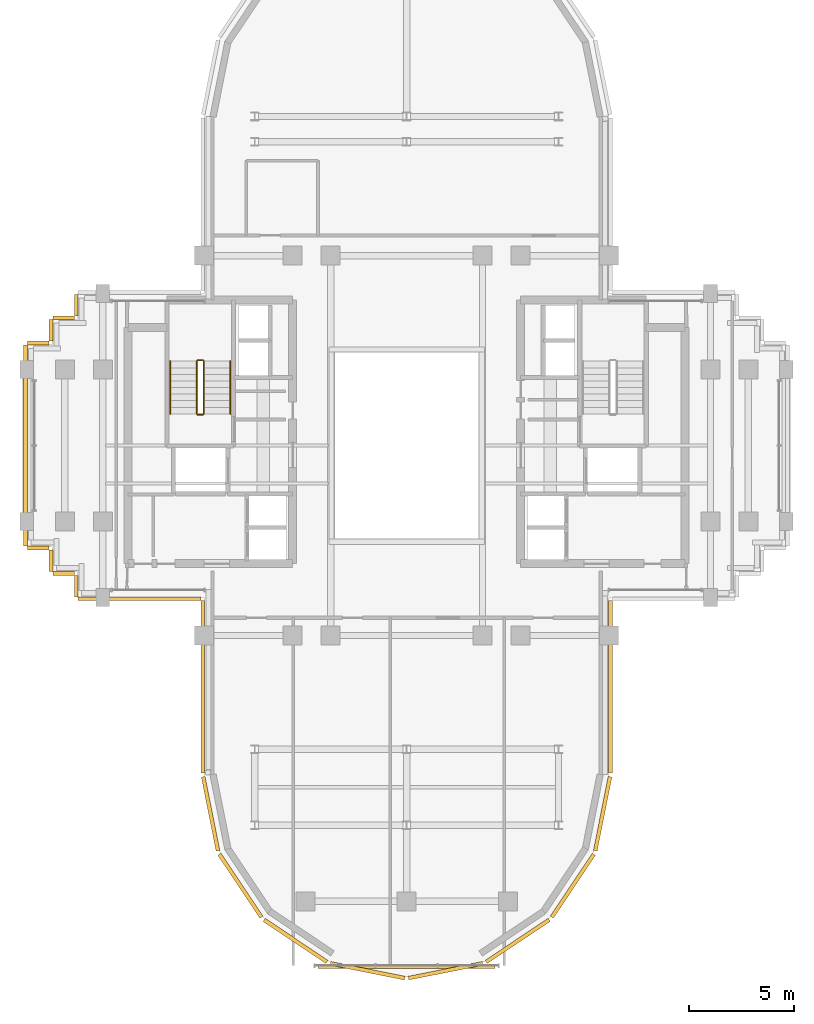
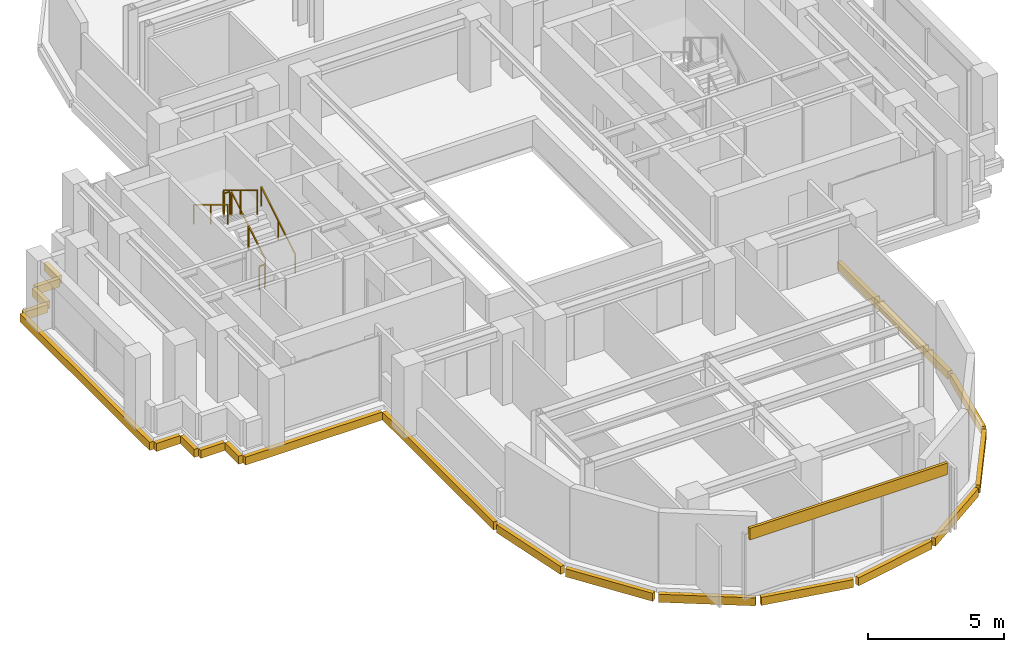
# One storey, part 9 of 11: 21 coverings, 6 railings.
"""IFC4 building model written with IfcOpenShell, lengths in metres."""

from ifc_helpers import new_model, si_unit, direction, frame, origin, origin_2d, place, context, subcontext, project, spatial, rectangle, extrude, source, transform, mapped, material, layer, layer_set, type_object, element, save


model = new_model("IFC4")

# Units and contexts
model_context = context("Model", 3, precision=1e-05, world=origin(), true_north=direction((0.0, 1.0)))
body_context = subcontext(model_context, "Body", "Model", "MODEL_VIEW")
ifc_project = project(units=[si_unit("LENGTHUNIT", "METRE"), si_unit("AREAUNIT", "SQUARE_METRE"), si_unit("VOLUMEUNIT", "CUBIC_METRE"), si_unit("PLANEANGLEUNIT", "RADIAN"), si_unit("MASSUNIT", "GRAM", prefix="KILO")], contexts=[model_context])

# Site, building, storey
site_placement = place(None, origin())
site = spatial("IfcSite", under=ifc_project, at=site_placement, CompositionType="ELEMENT")
building_placement = place(site_placement, origin())
building = spatial("IfcBuilding", under=site, at=building_placement, Name="Keilestroom Media Tower", CompositionType="ELEMENT")
storey_placement = place(building_placement, frame((0.0, 0.0, 167.199951171875)))
storey = spatial("IfcBuildingStorey", under=building, at=storey_placement, Name="L45", CompositionType="ELEMENT", Elevation=167.199951171875)

# Railings
ifc_material_1 = material(Name="Brushed Stainless Steel 1.4301", Category="steel")
railing_type_1 = type_object("IfcRailingType", Name="Stair-Pitch-Handrail-920", PredefinedType="HANDRAIL", material=ifc_material_1)
railing_1_placement = place(storey_placement, frame((-8.35009765625, 1.5, 0.18896484375)))
element("IfcRailing", 1, at=railing_1_placement, inside=storey, type_object=railing_type_1, Name="L45 ST-1 stair handrail 1", PredefinedType="HANDRAIL", context=body_context, shape_type="SweptSolid", body=[
    extrude(rectangle(XDim=0.048095703125, YDim=0.048095703125, at=origin_2d()), frame((0.0, 0.0, 0.8759765625), z_axis=(0.0, 0.855470815493, 0.517851024754), x_axis=(-1.0, 0.0, 0.0)), (0.0, 0.0, 1.0), 2.917724609375),
    extrude(rectangle(XDim=0.0419921875, YDim=0.0419921875, at=origin_2d()), origin(), (0.0, 0.0, 1.0), 0.84375),
    extrude(rectangle(XDim=0.0419921875, YDim=0.0419921875, at=origin_2d()), frame((0.0, 1.248046875, 0.75537109375)), (0.0, 0.0, 1.0), 0.84375),
    extrude(rectangle(XDim=0.0419921875, YDim=0.0419921875, at=origin_2d()), frame((0.0, 2.49609375, 1.510986328125)), (0.0, 0.0, 1.0), 0.84375),
])
railing_2_placement = place(storey_placement, frame((-11.2099609375, 3.99609375, 1.888916015625)))
element("IfcRailing", 2, at=railing_2_placement, inside=storey, type_object=railing_type_1, Name="L45 ST-1 stair handrail 2", PredefinedType="HANDRAIL", context=body_context, shape_type="SweptSolid", body=[
    extrude(rectangle(XDim=0.048095703125, YDim=0.048095703125, at=origin_2d()), frame((0.0, 0.0, 0.8759765625), z_axis=(0.0, -0.855433747314, 0.517912255074), x_axis=(1.0, 0.0, 0.0)), (0.0, 0.0, 1.0), 2.91796875),
    extrude(rectangle(XDim=0.0419921875, YDim=0.0419921875, at=origin_2d()), origin(), (0.0, 0.0, 1.0), 0.84375),
    extrude(rectangle(XDim=0.0419921875, YDim=0.0419921875, at=origin_2d()), frame((0.0, -1.248046875, 0.755615234375)), (0.0, 0.0, 1.0), 0.84375),
    extrude(rectangle(XDim=0.0419921875, YDim=0.0419921875, at=origin_2d()), frame((0.0, -2.49609375, 1.51123046875)), (0.0, 0.0, 1.0), 0.84375),
])
ifc_material_2 = material(Name="Painted Steel Balustrade", Category="steel")
railing_type_2 = type_object("IfcRailingType", Name="Stair-Well-And-Landing-Guard-1100", PredefinedType="GUARDRAIL", material=ifc_material_2)
railing_3_placement = place(storey_placement, frame((-9.610107421875, 1.5, 0.18896484375)))
element("IfcRailing", 3, at=railing_3_placement, inside=storey, type_object=railing_type_2, Name="L45 ST-1 stair guard 1", PredefinedType="GUARDRAIL", context=body_context, shape_type="SweptSolid", body=[
    extrude(rectangle(XDim=0.048095703125, YDim=0.048095703125, at=origin_2d()), frame((0.0, 0.0, 1.076171875), z_axis=(0.0, 0.855470815493, 0.517851024754), x_axis=(-1.0, 0.0, 0.0)), (0.0, 0.0, 1.0), 2.917724609375),
    extrude(rectangle(XDim=0.0419921875, YDim=0.0419921875, at=origin_2d()), origin(), (0.0, 0.0, 1.0), 1.0439453125),
    extrude(rectangle(XDim=0.0419921875, YDim=0.0419921875, at=origin_2d()), frame((0.0, 1.248046875, 0.75537109375)), (0.0, 0.0, 1.0), 1.0439453125),
    extrude(rectangle(XDim=0.0419921875, YDim=0.0419921875, at=origin_2d()), frame((0.0, 2.49609375, 1.510986328125)), (0.0, 0.0, 1.0), 1.0439453125),
])
railing_4_placement = place(storey_placement, frame((-9.659912109375, 4.0458984375, 1.699951171875)))
element("IfcRailing", 4, at=railing_4_placement, inside=storey, type_object=railing_type_2, Name="L45 ST-1 stair guard 2", PredefinedType="GUARDRAIL", context=body_context, shape_type="SweptSolid", body=[
    extrude(rectangle(XDim=0.048095703125, YDim=0.048095703125, at=origin_2d()), frame((0.0, 0.0, 1.076171875), z_axis=(-1.0, 0.0, 0.0), x_axis=(0.0, -1.0, 0.0)), (0.0, 0.0, 1.0), 0.239990234375),
    extrude(rectangle(XDim=0.0419921875, YDim=0.0419921875, at=origin_2d()), origin(), (0.0, 0.0, 1.0), 1.0439453125),
    extrude(rectangle(XDim=0.0419921875, YDim=0.0419921875, at=origin_2d()), frame((-0.239990234375, 0.0, 0.0)), (0.0, 0.0, 1.0), 1.0439453125),
])
railing_5_placement = place(storey_placement, frame((-9.949951171875, 3.99609375, 1.888916015625)))
element("IfcRailing", 5, at=railing_5_placement, inside=storey, type_object=railing_type_2, Name="L45 ST-1 stair guard 3", PredefinedType="GUARDRAIL", context=body_context, shape_type="SweptSolid", body=[
    extrude(rectangle(XDim=0.048095703125, YDim=0.048095703125, at=origin_2d()), frame((0.0, 0.0, 1.076171875), z_axis=(0.0, -0.855433747314, 0.517912255074), x_axis=(1.0, 0.0, 0.0)), (0.0, 0.0, 1.0), 2.91796875),
    extrude(rectangle(XDim=0.0419921875, YDim=0.0419921875, at=origin_2d()), origin(), (0.0, 0.0, 1.0), 1.0439453125),
    extrude(rectangle(XDim=0.0419921875, YDim=0.0419921875, at=origin_2d()), frame((0.0, -1.248046875, 0.755615234375)), (0.0, 0.0, 1.0), 1.0439453125),
    extrude(rectangle(XDim=0.0419921875, YDim=0.0419921875, at=origin_2d()), frame((0.0, -2.49609375, 1.51123046875)), (0.0, 0.0, 1.0), 1.0439453125),
])
railing_6_placement = place(storey_placement, frame((-9.659912109375, 1.449951171875, 0.0)))
element("IfcRailing", 6, at=railing_6_placement, inside=storey, type_object=railing_type_2, Name="L45 ST-1 stair guard 4", PredefinedType="GUARDRAIL", context=body_context, shape_type="SweptSolid", body=[
    extrude(rectangle(XDim=0.048095703125, YDim=0.048095703125, at=origin_2d()), frame((0.0, 0.0, 1.076171875), z_axis=(-1.0, 0.0, 0.0), x_axis=(0.0, -1.0, 0.0)), (0.0, 0.0, 1.0), 0.239990234375),
    extrude(rectangle(XDim=0.0419921875, YDim=0.0419921875, at=origin_2d()), origin(), (0.0, 0.0, 1.0), 1.0439453125),
    extrude(rectangle(XDim=0.0419921875, YDim=0.0419921875, at=origin_2d()), frame((-0.239990234375, 0.0, 0.0)), (0.0, 0.0, 1.0), 1.0439453125),
])

# Coverings
ifc_material_3 = material(Name="Precast concrete C40/50", Category="concrete")
ifc_layer = layer(ifc_material_3, 0.1201171875)
ifc_layer_set = layer_set([ifc_layer], Name="Precast concrete C40/50")
covering_type = type_object("IfcCoveringType", Name="Exterior-Precast-Spandrel-Cladding-Panel-120", PredefinedType="CLADDING", material=ifc_layer_set)
shared_shape_1 = source(origin(), body_context, "Body", "SweptSolid", [
    extrude(rectangle(XDim=8.39990234375, YDim=0.1201171875, at=origin_2d()), origin(), (0.0, 0.0, 1.0), 0.52001953125),
])
covering_1_placement = place(storey_placement, frame((0.0, -24.719970703125, 2.68994140625), z_axis=(0.0, 0.0, 1.0), x_axis=(1.0, 0.0, 0.0)))
element("IfcCovering", 7, at=covering_1_placement, inside=storey, type_object=covering_type, Name="L45 Precast Spandrel Cladding S", PredefinedType="CLADDING", context=body_context, shape_type="MappedRepresentation", body=[
    mapped(shared_shape_1, transform((0.0, 0.0, 0.0), x_axis=(1.0, 0.0, 0.0), y_axis=(0.0, 1.0, 0.0), z_axis=(0.0, 0.0, 1.0), scale=1.0)),
])
shared_shape_2 = source(origin(), body_context, "Body", "SweptSolid", [
    extrude(rectangle(XDim=1.02001953125, YDim=0.179931640625, at=origin_2d()), origin(), (0.0, 0.0, 1.0), 0.360107421875),
])
for number, where, z_axis, x_axis, name in (
    (8, (-15.659912109375, -6.659912109375, -0.5400390625), (0.0, 0.0, 1.0), (0.0, 1.0, 0.0), "L45 Precast Slab-Edge Fascia Cornice 17"),
    (9, (-16.260009765625, -6.06005859375, -0.5400390625), (0.0, 0.0, 1.0), (-1.0, 0.0, 0.0), "L45 Precast Slab-Edge Fascia Cornice 18"),
    (10, (-16.860107421875, -5.4599609375, -0.5400390625), (0.0, 0.0, 1.0), (0.0, 1.0, 0.0), "L45 Precast Slab-Edge Fascia Cornice 19"),
    (11, (-17.4599609375, -4.860107421875, -0.5400390625), (0.0, 0.0, 1.0), (-1.0, 0.0, 0.0), "L45 Precast Slab-Edge Fascia Cornice 20"),
    (12, (-17.4599609375, 4.860107421875, -0.5400390625), (0.0, 0.0, 1.0), (1.0, 0.0, 0.0), "L45 Precast Slab-Edge Fascia Cornice 22"),
    (13, (-16.860107421875, 5.4599609375, -0.5400390625), (0.0, 0.0, 1.0), (0.0, 1.0, 0.0), "L45 Precast Slab-Edge Fascia Cornice 23"),
    (14, (-16.260009765625, 6.06005859375, -0.5400390625), (0.0, 0.0, 1.0), (1.0, 0.0, 0.0), "L45 Precast Slab-Edge Fascia Cornice 24"),
    (15, (-15.659912109375, 6.659912109375, -0.5400390625), (0.0, 0.0, 1.0), (0.0, 1.0, 0.0), "L45 Precast Slab-Edge Fascia Cornice 25"),
):
    element("IfcCovering", number, at=place(storey_placement, frame(where, z_axis=z_axis, x_axis=x_axis)), inside=storey, type_object=covering_type, Name=name, PredefinedType="CLADDING", context=body_context, shape_type="MappedRepresentation", body=[
        mapped(shared_shape_2, transform((0.0, 0.0, 0.0), x_axis=(1.0, 0.0, 0.0), y_axis=(0.0, 1.0, 0.0), z_axis=(0.0, 0.0, 1.0), scale=1.0)),
    ])
shared_shape_3 = source(origin(), body_context, "Body", "SweptSolid", [
    extrude(rectangle(XDim=8.166015625, YDim=0.179931640625, at=origin_2d()), origin(), (0.0, 0.0, 1.0), 0.360107421875),
])
for number, where, z_axis, x_axis, name in (
    (16, (9.659912109375, -11.43310546875, -0.5400390625), (0.0, 0.0, 1.0), (0.0, -1.0, 0.0), "L45 Precast Slab-Edge Fascia Cornice 06"),
    (17, (-9.659912109375, -11.43310546875, -0.5400390625), (0.0, 0.0, 1.0), (0.0, 1.0, 0.0), "L45 Precast Slab-Edge Fascia Cornice 15"),
):
    element("IfcCovering", number, at=place(storey_placement, frame(where, z_axis=z_axis, x_axis=x_axis)), inside=storey, type_object=covering_type, Name=name, PredefinedType="CLADDING", context=body_context, shape_type="MappedRepresentation", body=[
        mapped(shared_shape_3, transform((0.0, 0.0, 0.0), x_axis=(1.0, 0.0, 0.0), y_axis=(0.0, 1.0, 0.0), z_axis=(0.0, 0.0, 1.0), scale=1.0)),
    ])
shared_shape_4 = source(origin(), body_context, "Body", "SweptSolid", [
    extrude(rectangle(XDim=3.58349609375, YDim=0.179931640625, at=origin_2d()), origin(), (0.0, 0.0, 1.0), 0.360107421875),
])
for number, where, z_axis, x_axis, name in (
    (18, (9.29296875, -17.45166015625, -0.5400390625), (0.0, 0.0, 1.0), (-0.195098880975, -0.980783577882, 0.0), "L45 Precast Slab-Edge Fascia Cornice 07"),
    (19, (-9.29296875, -17.45166015625, -0.5400390625), (0.0, 0.0, 1.0), (-0.195098880975, 0.980783577882, 0.0), "L45 Precast Slab-Edge Fascia Cornice 14"),
):
    element("IfcCovering", number, at=place(storey_placement, frame(where, z_axis=z_axis, x_axis=x_axis)), inside=storey, type_object=covering_type, Name=name, PredefinedType="CLADDING", context=body_context, shape_type="MappedRepresentation", body=[
        mapped(shared_shape_4, transform((0.0, 0.0, 0.0), x_axis=(1.0, 0.0, 0.0), y_axis=(0.0, 1.0, 0.0), z_axis=(0.0, 0.0, 1.0), scale=1.0)),
    ])
shared_shape_5 = source(origin(), body_context, "Body", "SweptSolid", [
    extrude(rectangle(XDim=3.589599609375, YDim=0.179931640625, at=origin_2d()), origin(), (0.0, 0.0, 1.0), 0.360107421875),
])
for number, where, z_axis, x_axis, name in (
    (20, (7.878662109375, -20.8642578125, -0.5400390625), (0.0, 0.0, 1.0), (-0.555574586577, -0.831466703332, 0.0), "L45 Precast Slab-Edge Fascia Cornice 08"),
    (21, (5.264404296875, -23.478515625, -0.5400390625), (0.0, 0.0, 1.0), (-0.831466703332, -0.555574586577, 0.0), "L45 Precast Slab-Edge Fascia Cornice 09"),
    (22, (1.8486328125, -24.893310546875, -0.5400390625), (0.0, 0.0, 1.0), (-0.980783577882, -0.195098880975, 0.0), "L45 Precast Slab-Edge Fascia Cornice 10"),
    (23, (-1.8486328125, -24.893310546875, -0.5400390625), (0.0, 0.0, 1.0), (-0.980783577882, 0.195098880975, 0.0), "L45 Precast Slab-Edge Fascia Cornice 11"),
    (24, (-5.264404296875, -23.478515625, -0.5400390625), (0.0, 0.0, 1.0), (-0.831466703332, 0.555574586577, 0.0), "L45 Precast Slab-Edge Fascia Cornice 12"),
    (25, (-7.878662109375, -20.8642578125, -0.5400390625), (0.0, 0.0, 1.0), (-0.555574586577, 0.831466703332, 0.0), "L45 Precast Slab-Edge Fascia Cornice 13"),
):
    element("IfcCovering", number, at=place(storey_placement, frame(where, z_axis=z_axis, x_axis=x_axis)), inside=storey, type_object=covering_type, Name=name, PredefinedType="CLADDING", context=body_context, shape_type="MappedRepresentation", body=[
        mapped(shared_shape_5, transform((0.0, 0.0, 0.0), x_axis=(1.0, 0.0, 0.0), y_axis=(0.0, 1.0, 0.0), z_axis=(0.0, 0.0, 1.0), scale=1.0)),
    ])
shared_shape_6 = source(origin(), body_context, "Body", "SweptSolid", [
    extrude(rectangle(XDim=9.5400390625, YDim=0.179931640625, at=origin_2d()), origin(), (0.0, 0.0, 1.0), 0.360107421875),
])
covering_2_placement = place(storey_placement, frame((-18.06005859375, 0.0, -0.5400390625), z_axis=(0.0, 0.0, 1.0), x_axis=(0.0, 1.0, 0.0)))
element("IfcCovering", 26, at=covering_2_placement, inside=storey, type_object=covering_type, Name="L45 Precast Slab-Edge Fascia Cornice 21", PredefinedType="CLADDING", context=body_context, shape_type="MappedRepresentation", body=[
    mapped(shared_shape_6, transform((0.0, 0.0, 0.0), x_axis=(1.0, 0.0, 0.0), y_axis=(0.0, 1.0, 0.0), z_axis=(0.0, 0.0, 1.0), scale=1.0)),
])
shared_shape_7 = source(origin(), body_context, "Body", "SweptSolid", [
    extrude(rectangle(XDim=5.820068359375, YDim=0.179931640625, at=origin_2d()), origin(), (0.0, 0.0, 1.0), 0.360107421875),
])
covering_3_placement = place(storey_placement, frame((-12.659912109375, -7.260009765625, -0.5400390625), z_axis=(0.0, 0.0, 1.0), x_axis=(-1.0, 0.0, 0.0)))
element("IfcCovering", 27, at=covering_3_placement, inside=storey, type_object=covering_type, Name="L45 Precast Slab-Edge Fascia Cornice 16", PredefinedType="CLADDING", context=body_context, shape_type="MappedRepresentation", body=[
    mapped(shared_shape_7, transform((0.0, 0.0, 0.0), x_axis=(1.0, 0.0, 0.0), y_axis=(0.0, 1.0, 0.0), z_axis=(0.0, 0.0, 1.0), scale=1.0)),
])

save(model, "model.ifc")
